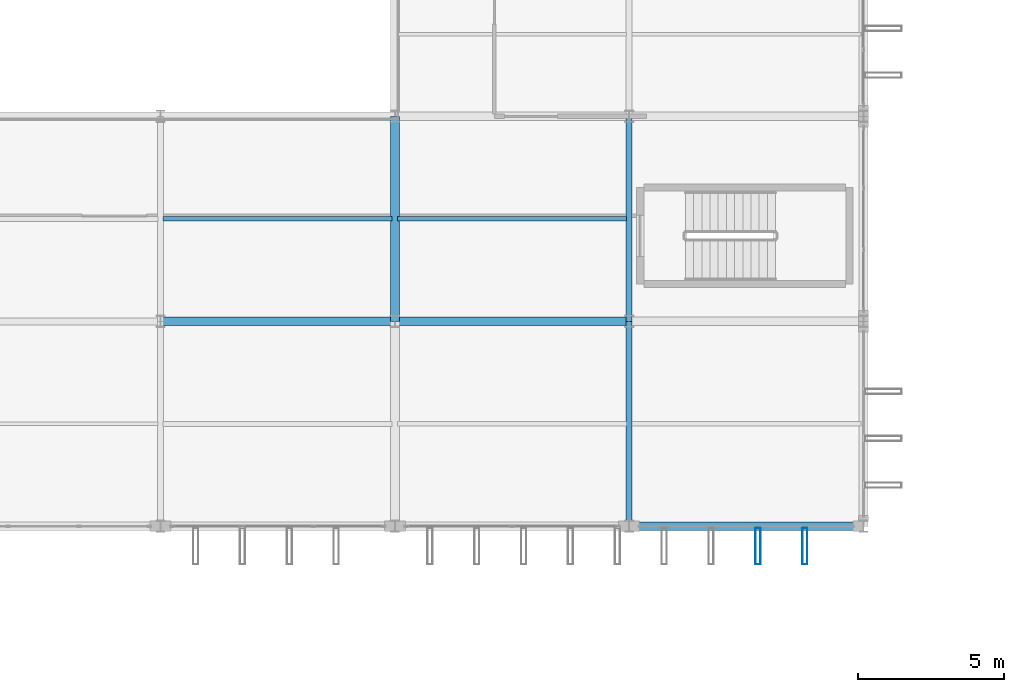
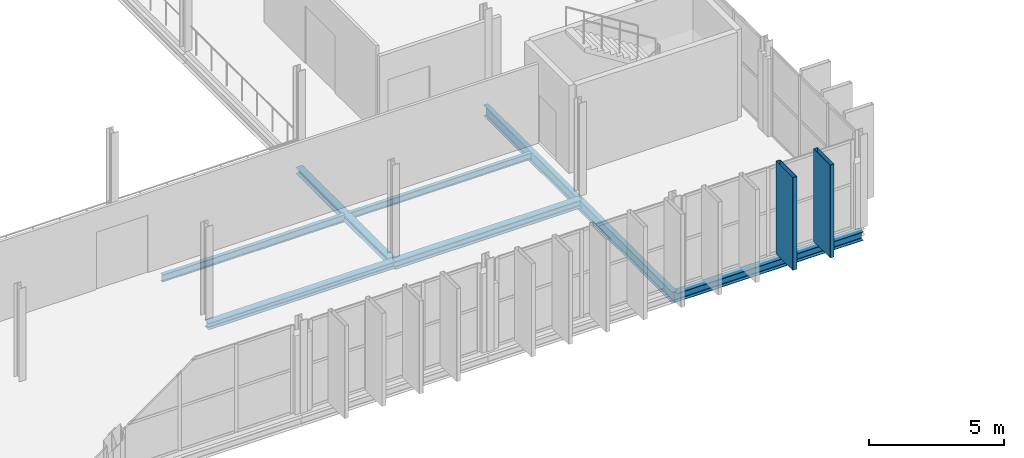
# One storey, part 33 of 101: 8 beams, 2 members.
"""IFC4 building model written with IfcOpenShell, lengths in metres."""

from ifc_helpers import new_model, si_unit, direction, frame, origin, origin_2d, place, context, subcontext, project, spatial, hollow_rectangle, i_section, extrude, material, material_profile, profile_set, type_object, element, save


model = new_model("IFC4")

# Units and contexts
model_context = context("Model", 3, precision=1e-05, world=origin(), true_north=direction((0.0, 1.0)))
body_context = subcontext(model_context, "Body", "Model", "MODEL_VIEW")
ifc_project = project(units=[si_unit("LENGTHUNIT", "METRE"), si_unit("AREAUNIT", "SQUARE_METRE"), si_unit("VOLUMEUNIT", "CUBIC_METRE"), si_unit("PLANEANGLEUNIT", "RADIAN"), si_unit("MASSUNIT", "GRAM", prefix="KILO")], contexts=[model_context])

# Site, building, storey
site_placement = place(None, origin())
site = spatial("IfcSite", under=ifc_project, at=site_placement, CompositionType="ELEMENT")
building_placement = place(site_placement, origin())
building = spatial("IfcBuilding", under=site, at=building_placement, Name="Vekula Escarpment Museum", CompositionType="ELEMENT")
storey_placement = place(building_placement, frame((0.0, 0.0, 18.0)))
storey = spatial("IfcBuildingStorey", under=building, at=storey_placement, Name="L04", CompositionType="ELEMENT", Elevation=18.0)

# Beams
ifc_material_1 = material(Name="Steel S355", Category="steel")
ifc_material_profile_1 = material_profile(ifc_material_1, i_section(OverallWidth=0.300048828125, OverallDepth=0.300048828125, WebThickness=0.010986328125, FlangeThickness=0.01904296875, FilletRadius=0.027099609375, at=origin_2d()), Name="HEB 300")
ifc_profile_set_1 = profile_set([ifc_material_profile_1], Name="Steel S355")
beam_type_1 = type_object("IfcBeamType", Name="BM-GIRD-HEB300", PredefinedType="BEAM", material=ifc_profile_set_1)
beam_1_placement = place(storey_placement, frame((102.0, 52.60009765625, -0.389892578125), z_axis=(1.0, 0.0, 0.0), x_axis=(0.0, 1.0, 0.0)))
element("IfcBeam", 1, at=beam_1_placement, inside=storey, type_object=beam_type_1, Name="Beam X L04 1699", PredefinedType="BEAM", context=body_context, shape_type="SweptSolid", body=[
    extrude(i_section(OverallWidth=0.300048828125, OverallDepth=0.300048828125, WebThickness=0.010986328125, FlangeThickness=0.01904296875, FilletRadius=0.027099609375, at=origin_2d()), origin(), (0.0, 0.0, 1.0), 8.0),
])
ifc_material_2 = material(Name="Steel S355", Category="steel")
ifc_material_profile_2 = material_profile(ifc_material_2, i_section(OverallWidth=0.300048828125, OverallDepth=0.360107421875, WebThickness=0.012451171875, FlangeThickness=0.0224609375, FilletRadius=0.027099609375, at=origin_2d()), Name="HEB 360")
ifc_profile_set_2 = profile_set([ifc_material_profile_2], Name="Steel S355")
beam_type_2 = type_object("IfcBeamType", Name="BM-GIRD-HEB360", PredefinedType="BEAM", material=ifc_profile_set_2)
beam_2_placement = place(storey_placement, frame((110.0, 52.60009765625, -0.419921875), z_axis=(1.0, 0.0, 0.0), x_axis=(0.0, 1.0, 0.0)))
element("IfcBeam", 2, at=beam_2_placement, inside=storey, type_object=beam_type_2, Name="Beam X L04 1700", PredefinedType="BEAM", context=body_context, shape_type="SweptSolid", body=[
    extrude(i_section(OverallWidth=0.300048828125, OverallDepth=0.360107421875, WebThickness=0.012451171875, FlangeThickness=0.0224609375, FilletRadius=0.027099609375, at=origin_2d()), origin(), (0.0, 0.0, 1.0), 8.0),
])
ifc_material_3 = material(Name="Steel S355", Category="steel")
ifc_material_profile_3 = material_profile(ifc_material_3, i_section(OverallWidth=0.199951171875, OverallDepth=0.5, WebThickness=0.01025390625, FlangeThickness=0.01611328125, FilletRadius=0.02099609375, at=origin_2d()), Name="IPE 500")
ifc_profile_set_3 = profile_set([ifc_material_profile_3], Name="Steel S355")
beam_type_3 = type_object("IfcBeamType", Name="BM-GIRD-IPE500", PredefinedType="BEAM", material=ifc_profile_set_3)
for number, where, z_axis, x_axis, name in (
    (3, (118.0, 45.60009765625, -0.489990234375), (0.0, 1.0, 0.0), (-1.0, 0.0, 0.0), "Beam Y L04 1905"),
    (4, (118.0, 52.60009765625, -0.489990234375), (0.0, 1.0, 0.0), (-1.0, 0.0, 0.0), "Beam Y L04 1906"),
):
    element("IfcBeam", number, at=place(storey_placement, frame(where, z_axis=z_axis, x_axis=x_axis)), inside=storey, type_object=beam_type_3, Name=name, PredefinedType="BEAM", context=body_context, shape_type="SweptSolid", body=[
        extrude(i_section(OverallWidth=0.199951171875, OverallDepth=0.5, WebThickness=0.01025390625, FlangeThickness=0.01611328125, FilletRadius=0.02099609375, at=origin_2d()), origin(), (0.0, 0.0, 1.0), 7.0),
    ])
ifc_material_4 = material(Name="Steel S355", Category="steel")
ifc_material_profile_4 = material_profile(ifc_material_4, i_section(OverallWidth=0.14990234375, OverallDepth=0.300048828125, WebThickness=0.007080078125, FlangeThickness=0.0107421875, FilletRadius=0.014892578125, at=origin_2d()), Name="IPE 300")
ifc_profile_set_4 = profile_set([ifc_material_profile_4], Name="Steel S355")
beam_type_4 = type_object("IfcBeamType", Name="BM-JST-IPE300", PredefinedType="JOIST", material=ifc_profile_set_4)
beam_3_placement = place(storey_placement, frame((110.090087890625, 56.10009765625, -0.389892578125), z_axis=(1.0, 0.0, 0.0), x_axis=(0.0, 1.0, 0.0)))
element("IfcBeam", 5, at=beam_3_placement, inside=storey, type_object=beam_type_4, Name="Secondary Joist L04 1224", PredefinedType="JOIST", context=body_context, shape_type="SweptSolid", body=[
    extrude(i_section(OverallWidth=0.14990234375, OverallDepth=0.300048828125, WebThickness=0.007080078125, FlangeThickness=0.0107421875, FilletRadius=0.014892578125, at=origin_2d()), origin(), (0.0, 0.0, 1.0), 7.81982421875),
])
ifc_material_5 = material(Name="Steel S355", Category="steel")
ifc_material_profile_5 = material_profile(ifc_material_5, i_section(OverallWidth=0.159912109375, OverallDepth=0.330078125, WebThickness=0.007568359375, FlangeThickness=0.011474609375, FilletRadius=0.01806640625, at=origin_2d()), Name="IPE 330")
ifc_profile_set_5 = profile_set([ifc_material_profile_5], Name="Steel S355")
beam_type_5 = type_object("IfcBeamType", Name="BM-JST-IPE330", PredefinedType="JOIST", material=ifc_profile_set_5)
beam_4_placement = place(storey_placement, frame((102.090087890625, 56.10009765625, -0.405029296875), z_axis=(1.0, 0.0, 0.0), x_axis=(0.0, 1.0, 0.0)))
element("IfcBeam", 6, at=beam_4_placement, inside=storey, type_object=beam_type_5, Name="Secondary Joist L04 1220", PredefinedType="JOIST", context=body_context, shape_type="SweptSolid", body=[
    extrude(i_section(OverallWidth=0.159912109375, OverallDepth=0.330078125, WebThickness=0.007568359375, FlangeThickness=0.011474609375, FilletRadius=0.01806640625, at=origin_2d()), origin(), (0.0, 0.0, 1.0), 7.81982421875),
])
ifc_material_6 = material(Name="Steel S355", Category="steel")
ifc_material_profile_6 = material_profile(ifc_material_6, i_section(OverallWidth=0.300048828125, OverallDepth=0.2900390625, WebThickness=0.008544921875, FlangeThickness=0.013916015625, FilletRadius=0.027099609375, at=origin_2d()), Name="HEA 300")
ifc_profile_set_6 = profile_set([ifc_material_profile_6], Name="Steel S355")
beam_type_6 = type_object("IfcBeamType", Name="BM-SPAN-HEA300", PredefinedType="SPANDREL", material=ifc_profile_set_6)
beam_5_placement = place(storey_placement, frame((110.0, 52.60009765625, -0.385009765625), z_axis=(0.0, 1.0, 0.0), x_axis=(-1.0, 0.0, 0.0)))
element("IfcBeam", 7, at=beam_5_placement, inside=storey, type_object=beam_type_6, Name="Beam Y L04 1900", PredefinedType="SPANDREL", context=body_context, shape_type="SweptSolid", body=[
    extrude(i_section(OverallWidth=0.300048828125, OverallDepth=0.2900390625, WebThickness=0.008544921875, FlangeThickness=0.013916015625, FilletRadius=0.027099609375, at=origin_2d()), origin(), (0.0, 0.0, 1.0), 7.0),
])
ifc_material_7 = material(Name="Steel S355", Category="steel")
ifc_material_profile_7 = material_profile(ifc_material_7, i_section(OverallWidth=0.300048828125, OverallDepth=0.389892578125, WebThickness=0.010986328125, FlangeThickness=0.01904296875, FilletRadius=0.027099609375, at=origin_2d()), Name="HEA 400")
ifc_profile_set_7 = profile_set([ifc_material_profile_7], Name="Steel S355")
beam_type_7 = type_object("IfcBeamType", Name="BM-SPAN-HEA400", PredefinedType="SPANDREL", material=ifc_profile_set_7)
beam_6_placement = place(storey_placement, frame((118.0, 45.60009765625, -0.43505859375), z_axis=(1.0, 0.0, 0.0), x_axis=(0.0, 1.0, 0.0)))
element("IfcBeam", 8, at=beam_6_placement, inside=storey, type_object=beam_type_7, Name="Beam X L04 1689", PredefinedType="SPANDREL", context=body_context, shape_type="SweptSolid", body=[
    extrude(i_section(OverallWidth=0.300048828125, OverallDepth=0.389892578125, WebThickness=0.010986328125, FlangeThickness=0.01904296875, FilletRadius=0.027099609375, at=origin_2d()), origin(), (0.0, 0.0, 1.0), 8.0),
])

# Members
ifc_material_8 = material(Name="Steel S355 weathered bronze solar fin", Category="steel")
ifc_material_profile_8 = material_profile(ifc_material_8, hollow_rectangle(XDim=0.179931640625, YDim=1.25, WallThickness=0.010009765625, InnerFilletRadius=0.010009765625, OuterFilletRadius=0.02001953125, at=origin_2d()), Name="RHS 1250x180x10")
ifc_profile_set_8 = profile_set([ifc_material_profile_8], Name="Steel S355 weathered bronze solar fin")
member_type = type_object("IfcMemberType", Name="MB-SOLAR-FIN", PredefinedType="USERDEFINED", material=ifc_profile_set_8)
for number, where, z_axis, x_axis, name in (
    (9, (122.39990234375, 44.919921875, 0.0), (0.0, 0.0, 1.0), (1.0, 0.0, 0.0), "Great Hall Vertical Solar Fin 0124"),
    (10, (124.0, 44.919921875, 0.0), (0.0, 0.0, 1.0), (1.0, 0.0, 0.0), "Great Hall Vertical Solar Fin 0129"),
):
    element("IfcMember", number, at=place(storey_placement, frame(where, z_axis=z_axis, x_axis=x_axis)), inside=storey, type_object=member_type, Name=name, ObjectType="SOLAR FIN", PredefinedType="USERDEFINED", context=body_context, shape_type="SweptSolid", body=[
        extrude(hollow_rectangle(XDim=0.179931640625, YDim=1.25, WallThickness=0.010009765625, InnerFilletRadius=0.010009765625, OuterFilletRadius=0.02001953125, at=origin_2d()), origin(), (0.0, 0.0, 1.0), 4.199951171875),
    ])

save(model, "model.ifc")
